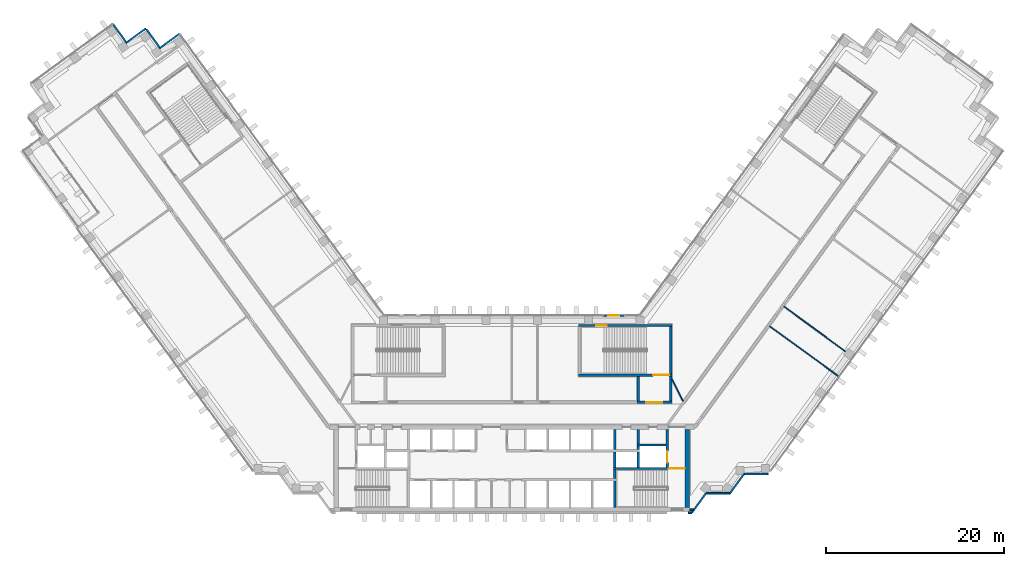
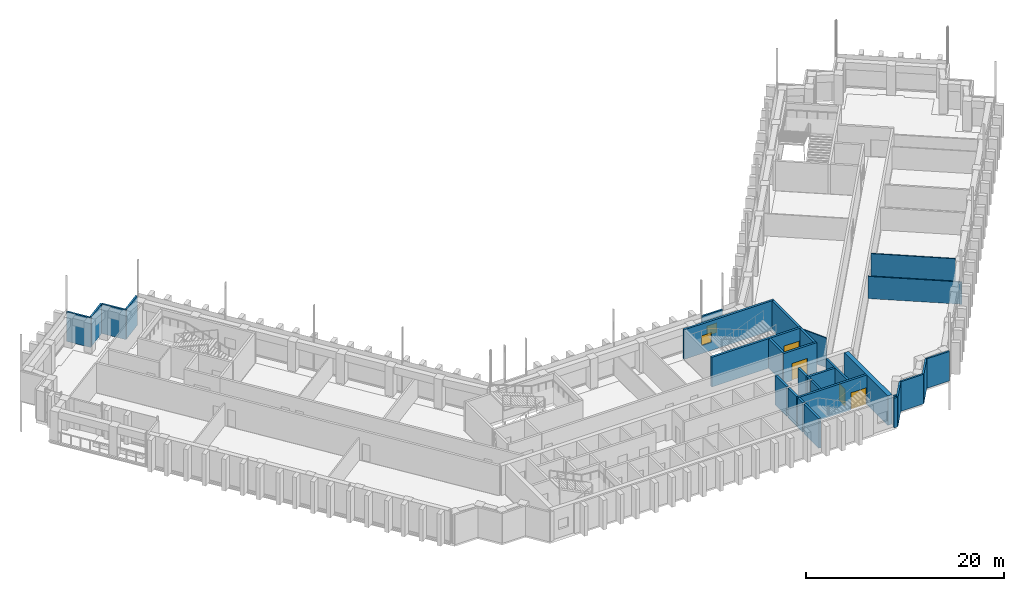
# One storey, part 14 of 19: 31 walls, 4 doors, 2 windows, 6 openings.
"""IFC4 building model written with IfcOpenShell, lengths in metres."""

from ifc_helpers import new_model, si_unit, direction, frame, frame_2d, origin, place, context, subcontext, project, spatial, rectangle, extrude, material, layer, layer_set, type_object, element, fill, save


model = new_model("IFC4")

# Units and contexts
model_context = context("Model", 3, precision=1e-05, world=origin(), true_north=direction((0.0, 1.0)))
body_context = subcontext(model_context, "Body", "Model", "MODEL_VIEW")
ifc_project = project(units=[si_unit("LENGTHUNIT", "METRE"), si_unit("AREAUNIT", "SQUARE_METRE"), si_unit("VOLUMEUNIT", "CUBIC_METRE"), si_unit("PLANEANGLEUNIT", "RADIAN"), si_unit("MASSUNIT", "GRAM", prefix="KILO")], contexts=[model_context])

# Site, building, storey
site_placement = place(None, origin())
site = spatial("IfcSite", under=ifc_project, at=site_placement, CompositionType="ELEMENT")
building_placement = place(site_placement, origin())
building = spatial("IfcBuilding", under=site, at=building_placement, Name="Quipu Civic Tower", CompositionType="ELEMENT")
storey_placement = place(building_placement, frame((0.0, 0.0, 35.0)))
storey = spatial("IfcBuildingStorey", under=building, at=storey_placement, Name="L07", CompositionType="ELEMENT", Elevation=35.0)

# Walls
ifc_material_1 = material(Name="Concrete C70/85", Category="concrete")
ifc_layer_1 = layer(ifc_material_1, 0.25)
ifc_layer_set_1 = layer_set([ifc_layer_1], Name="Concrete C70/85")
wall_type_1 = type_object("IfcWallType", Name="Core wall 250", PredefinedType="SHEAR", material=ifc_layer_set_1)
wall_1_placement = place(storey_placement, frame((11.574951171875, -10.5, 0.0), z_axis=(0.0, 0.0, 1.0), x_axis=(0.0, 1.0, 0.0)))
element("IfcWall", 1, at=wall_1_placement, inside=storey, type_object=wall_type_1, Name="Core wall", PredefinedType="SHEAR", context=body_context, shape_type="SweptSolid", body=[
    extrude(rectangle(XDim=3.0, YDim=0.25, at=frame_2d((1.5, 0.0))), origin(), (0.0, 0.0, 1.0), 3.64990234375),
])
wall_2_placement = place(storey_placement, frame((11.574951171875, -7.25, 0.0), z_axis=(0.0, 0.0, 1.0), x_axis=(0.0, 1.0, 0.0)))
element("IfcWall", 2, at=wall_2_placement, inside=storey, type_object=wall_type_1, Name="Core wall", PredefinedType="SHEAR", context=body_context, shape_type="SweptSolid", body=[
    extrude(rectangle(XDim=1.0, YDim=0.25, at=frame_2d((0.5, 0.0))), origin(), (0.0, 0.0, 1.0), 3.64990234375),
])

# Wall, opening, door
wall_3_placement = place(storey_placement, frame((19.5, -6.125, 0.0), z_axis=(0.0, 0.0, 1.0), x_axis=(-1.0, 0.0, 0.0)))
wall_3 = element("IfcWall", 3, at=wall_3_placement, inside=storey, type_object=wall_type_1, Name="Core wall", PredefinedType="SHEAR", context=body_context, shape_type="SweptSolid", body=[
    extrude(rectangle(XDim=8.050048828125, YDim=0.25, at=frame_2d((4.02490234375, 0.0))), origin(), (0.0, 0.0, 1.0), 3.64990234375),
])
opening_1_placement = place(wall_3_placement, frame((0.050048828125, 0.0, 0.0)))
opening_1 = element("IfcOpeningElement", 4, at=opening_1_placement, cuts=wall_3, Name="Opening CD-05", PredefinedType="OPENING", context=body_context, shape_type="SweptSolid", body=[
    extrude(rectangle(XDim=1.800048828125, YDim=2.10009765625, at=frame_2d((0.89990234375, 1.050048828125))), frame((0.0, 0.135009765625, 0.0), z_axis=(0.0, -1.0, 0.0), x_axis=(1.0, 0.0, 0.0)), (0.0, 0.0, 1.0), 0.27001953125),
])
ifc_material_2 = material(Name="Fire rated steel door", Category="steel")
door_type_1 = type_object("IfcDoorType", Name="Fire door FD90 double 1800 x 2100", OperationType="NOTDEFINED", PredefinedType="DOOR", material=ifc_material_2)
door_1_placement = place(opening_1_placement, origin())
door_1 = element("IfcDoor", 5, at=door_1_placement, inside=storey, type_object=door_type_1, Name="Door", OperationType="DOUBLE_DOOR_SINGLE_SWING", OverallHeight=2.10009765625, OverallWidth=1.800048828125, PredefinedType="DOOR", context=body_context, shape_type="SweptSolid", body=[
    extrude(rectangle(XDim=1.800048828125, YDim=2.10009765625, at=frame_2d((0.89990234375, 1.050048828125))), frame((0.0, 0.02490234375, 0.0), z_axis=(0.0, -1.0, 0.0), x_axis=(1.0, 0.0, 0.0)), (0.0, 0.0, 1.0), 0.050048828125),
])
fill(opening_1, door_1)

# Walls
for number, where, z_axis, x_axis, name in (
    (6, (11.574951171875, -6.0, 0.0), (0.0, 0.0, 1.0), (0.0, 1.0, 0.0), "Core wall"),
    (7, (14.22509765625, -6.0, 0.0), (0.0, 0.0, 1.0), (0.0, 1.0, 0.0), "Core wall"),
):
    element("IfcWall", number, at=place(storey_placement, frame(where, z_axis=z_axis, x_axis=x_axis)), inside=storey, type_object=wall_type_1, Name=name, PredefinedType="SHEAR", context=body_context, shape_type="SweptSolid", body=[
        extrude(rectangle(XDim=1.75, YDim=0.25, at=frame_2d((0.875, 0.0))), origin(), (0.0, 0.0, 1.0), 3.64990234375),
    ])

# Wall, opening, door
wall_4_placement = place(storey_placement, frame((17.47509765625, -6.0, 0.0), z_axis=(0.0, 0.0, 1.0), x_axis=(0.0, 1.0, 0.0)))
wall_4 = element("IfcWall", 8, at=wall_4_placement, inside=storey, type_object=wall_type_1, Name="Core wall", PredefinedType="SHEAR", context=body_context, shape_type="SweptSolid", body=[
    extrude(rectangle(XDim=4.300048828125, YDim=0.25, at=frame_2d((2.14990234375, 0.0))), origin(), (0.0, 0.0, 1.0), 3.64990234375),
])
opening_2_placement = place(wall_4_placement, frame((0.550048828125, 0.0, 0.0)))
opening_2 = element("IfcOpeningElement", 9, at=opening_2_placement, cuts=wall_4, Name="Opening LD-FF2", PredefinedType="OPENING", context=body_context, shape_type="SweptSolid", body=[
    extrude(rectangle(XDim=1.300048828125, YDim=2.10009765625, at=frame_2d((0.64990234375, 1.050048828125))), frame((0.0, 0.135009765625, 0.0), z_axis=(0.0, -1.0, 0.0), x_axis=(1.0, 0.0, 0.0)), (0.0, 0.0, 1.0), 0.27001953125),
])
ifc_material_3 = material(Name="Stainless steel", Category="steel")
door_type_2 = type_object("IfcDoorType", Name="Lift landing door 1300 x 2100", OperationType="DOUBLE_DOOR_SLIDING", PredefinedType="DOOR", material=ifc_material_3)
door_2_placement = place(opening_2_placement, origin())
door_2 = element("IfcDoor", 10, at=door_2_placement, inside=storey, type_object=door_type_2, Name="Landing door FF2", OperationType="DOUBLE_DOOR_SLIDING", OverallHeight=2.10009765625, OverallWidth=1.300048828125, PredefinedType="DOOR", context=body_context, shape_type="SweptSolid", body=[
    extrude(rectangle(XDim=1.300048828125, YDim=2.10009765625, at=frame_2d((0.64990234375, 1.050048828125))), frame((0.0, 0.02490234375, 0.0), z_axis=(0.0, -1.0, 0.0), x_axis=(1.0, 0.0, 0.0)), (0.0, 0.0, 1.0), 0.050048828125),
])
fill(opening_2, door_2)

# Walls
wall_5_placement = place(storey_placement, frame((11.574951171875, -4.0, 0.0), z_axis=(0.0, 0.0, 1.0), x_axis=(0.0, 1.0, 0.0)))
element("IfcWall", 11, at=wall_5_placement, inside=storey, type_object=wall_type_1, Name="Core wall", PredefinedType="SHEAR", context=body_context, shape_type="SweptSolid", body=[
    extrude(rectangle(XDim=2.300048828125, YDim=0.25, at=frame_2d((1.14990234375, 0.0))), origin(), (0.0, 0.0, 1.0), 3.64990234375),
])
wall_6_placement = place(storey_placement, frame((14.22509765625, -4.0, 0.0), z_axis=(0.0, 0.0, 1.0), x_axis=(0.0, 1.0, 0.0)))
element("IfcWall", 12, at=wall_6_placement, inside=storey, type_object=wall_type_1, Name="Core wall", PredefinedType="SHEAR", context=body_context, shape_type="SweptSolid", body=[
    extrude(rectangle(XDim=0.39990234375, YDim=0.25, at=frame_2d((0.199951171875, 0.0))), origin(), (0.0, 0.0, 1.0), 3.64990234375),
])
wall_7_placement = place(storey_placement, frame((14.10009765625, -3.47509765625, 0.0), z_axis=(0.0, 0.0, 1.0), x_axis=(1.0, 0.0, 0.0)))
element("IfcWall", 13, at=wall_7_placement, inside=storey, type_object=wall_type_1, Name="Core wall", PredefinedType="SHEAR", context=body_context, shape_type="SweptSolid", body=[
    extrude(rectangle(XDim=3.25, YDim=0.25, at=frame_2d((1.625, 0.0))), origin(), (0.0, 0.0, 1.0), 3.64990234375),
])
wall_8_placement = place(storey_placement, frame((14.22509765625, -3.35009765625, 0.0), z_axis=(0.0, 0.0, 1.0), x_axis=(0.0, 1.0, 0.0)))
element("IfcWall", 14, at=wall_8_placement, inside=storey, type_object=wall_type_1, Name="Core wall", PredefinedType="SHEAR", context=body_context, shape_type="SweptSolid", body=[
    extrude(rectangle(XDim=1.650146484375, YDim=0.25, at=frame_2d((0.8251953125, 0.0))), origin(), (0.0, 0.0, 1.0), 3.64990234375),
])

# Wall, opening, door
wall_9_placement = place(storey_placement, frame((14.10009765625, 1.324951171875, 0.0), z_axis=(0.0, 0.0, 1.0), x_axis=(1.0, 0.0, 0.0)))
wall_9 = element("IfcWall", 15, at=wall_9_placement, inside=storey, type_object=wall_type_1, Name="Core wall", PredefinedType="SHEAR", context=body_context, shape_type="SweptSolid", body=[
    extrude(rectangle(XDim=3.89990234375, YDim=0.25, at=frame_2d((1.949951171875, 0.0))), origin(), (0.0, 0.0, 1.0), 3.64990234375),
])
opening_3_placement = place(wall_9_placement, frame((1.0, 0.0, 0.0)))
opening_3 = element("IfcOpeningElement", 16, at=opening_3_placement, cuts=wall_9, Name="Opening CD-17", PredefinedType="OPENING", context=body_context, shape_type="SweptSolid", body=[
    extrude(rectangle(XDim=1.800048828125, YDim=2.10009765625, at=frame_2d((0.89990234375, 1.050048828125))), frame((0.0, 0.135009765625, 0.0), z_axis=(0.0, -1.0, 0.0), x_axis=(1.0, 0.0, 0.0)), (0.0, 0.0, 1.0), 0.27001953125),
])
door_3_placement = place(opening_3_placement, origin())
door_3 = element("IfcDoor", 17, at=door_3_placement, inside=storey, type_object=door_type_1, Name="Lobby door", OperationType="DOUBLE_DOOR_SINGLE_SWING", OverallHeight=2.10009765625, OverallWidth=1.800048828125, PredefinedType="DOOR", context=body_context, shape_type="SweptSolid", body=[
    extrude(rectangle(XDim=1.800048828125, YDim=2.10009765625, at=frame_2d((0.89990234375, 1.050048828125))), frame((0.0, 0.02490234375, 0.0), z_axis=(0.0, -1.0, 0.0), x_axis=(1.0, 0.0, 0.0)), (0.0, 0.0, 1.0), 0.050048828125),
])
fill(opening_3, door_3)

# Walls
for number, where, z_axis, x_axis, name in (
    (18, (14.22509765625, 1.449951171875, 0.0), (0.0, 0.0, 1.0), (0.0, 1.0, 0.0), "Core wall"),
    (19, (17.875, 1.449951171875, 0.0), (0.0, 0.0, 1.0), (0.0, 1.0, 0.0), "Core wall"),
):
    element("IfcWall", number, at=place(storey_placement, frame(where, z_axis=z_axis, x_axis=x_axis)), inside=storey, type_object=wall_type_1, Name=name, PredefinedType="SHEAR", context=body_context, shape_type="SweptSolid", body=[
        extrude(rectangle(XDim=2.800048828125, YDim=0.25, at=frame_2d((1.39990234375, 0.0))), origin(), (0.0, 0.0, 1.0), 3.64990234375),
    ])

# Wall, opening, door
wall_10_placement = place(storey_placement, frame((7.5, 4.375, 0.0), z_axis=(0.0, 0.0, 1.0), x_axis=(1.0, 0.0, 0.0)))
wall_10 = element("IfcWall", 20, at=wall_10_placement, inside=storey, type_object=wall_type_1, Name="Core wall", PredefinedType="SHEAR", context=body_context, shape_type="SweptSolid", body=[
    extrude(rectangle(XDim=10.5, YDim=0.25, at=frame_2d((5.25, 0.0))), origin(), (0.0, 0.0, 1.0), 3.64990234375),
])
opening_4_placement = place(wall_10_placement, frame((8.39990234375, 0.0, 0.0)))
opening_4 = element("IfcOpeningElement", 21, at=opening_4_placement, cuts=wall_10, Name="Opening CD-18", PredefinedType="OPENING", context=body_context, shape_type="SweptSolid", body=[
    extrude(rectangle(XDim=1.800048828125, YDim=2.10009765625, at=frame_2d((0.89990234375, 1.050048828125))), frame((0.0, 0.135009765625, 0.0), z_axis=(0.0, -1.0, 0.0), x_axis=(1.0, 0.0, 0.0)), (0.0, 0.0, 1.0), 0.27001953125),
])
door_4_placement = place(opening_4_placement, origin())
door_4 = element("IfcDoor", 22, at=door_4_placement, inside=storey, type_object=door_type_1, Name="Door", OperationType="DOUBLE_DOOR_SINGLE_SWING", OverallHeight=2.10009765625, OverallWidth=1.800048828125, PredefinedType="DOOR", context=body_context, shape_type="SweptSolid", body=[
    extrude(rectangle(XDim=1.800048828125, YDim=2.10009765625, at=frame_2d((0.89990234375, 1.050048828125))), frame((0.0, 0.02490234375, 0.0), z_axis=(0.0, -1.0, 0.0), x_axis=(1.0, 0.0, 0.0)), (0.0, 0.0, 1.0), 0.050048828125),
])
fill(opening_4, door_4)

# Wall
wall_11_placement = place(storey_placement, frame((17.875, 4.5, 0.0), z_axis=(0.0, 0.0, 1.0), x_axis=(0.0, 1.0, 0.0)))
element("IfcWall", 23, at=wall_11_placement, inside=storey, type_object=wall_type_1, Name="Core wall", PredefinedType="SHEAR", context=body_context, shape_type="SweptSolid", body=[
    extrude(rectangle(XDim=5.35009765625, YDim=0.25, at=frame_2d((2.675048828125, 0.0))), origin(), (0.0, 0.0, 1.0), 3.64990234375),
])

# Wall, opening, window
wall_12_placement = place(storey_placement, frame((7.5, 9.97509765625, 0.0), z_axis=(0.0, 0.0, 1.0), x_axis=(1.0, 0.0, 0.0)))
wall_12 = element("IfcWall", 24, at=wall_12_placement, inside=storey, type_object=wall_type_1, Name="Core wall", PredefinedType="SHEAR", context=body_context, shape_type="SweptSolid", body=[
    extrude(rectangle(XDim=10.5, YDim=0.25, at=frame_2d((5.25, 0.0))), origin(), (0.0, 0.0, 1.0), 3.64990234375),
])
opening_5_placement = place(wall_12_placement, frame((2.0, 0.0, 1.0)))
opening_5 = element("IfcOpeningElement", 25, at=opening_5_placement, cuts=wall_12, Name="Opening SV-4", PredefinedType="OPENING", context=body_context, shape_type="SweptSolid", body=[
    extrude(rectangle(XDim=1.199951171875, YDim=1.199951171875, at=frame_2d((0.60009765625, 0.60009765625))), frame((0.0, 0.135009765625, 0.0), z_axis=(0.0, -1.0, 0.0), x_axis=(1.0, 0.0, 0.0)), (0.0, 0.0, 1.0), 0.27001953125),
])
ifc_material_4 = material(Name="Aluminium louvre", Category="aluminium")
window_type_1 = type_object("IfcWindowType", Name="Stair ventilation louvre 1200 x 1200", PartitioningType="SINGLE_PANEL", PredefinedType="WINDOW", material=ifc_material_4)
window_1_placement = place(opening_5_placement, origin())
window_1 = element("IfcWindow", 26, at=window_1_placement, inside=storey, type_object=window_type_1, Name="Stair ventilation opening", OverallHeight=1.199951171875, OverallWidth=1.199951171875, PartitioningType="SINGLE_PANEL", PredefinedType="WINDOW", context=body_context, shape_type="SweptSolid", body=[
    extrude(rectangle(XDim=1.199951171875, YDim=1.199951171875, at=frame_2d((0.60009765625, 0.60009765625))), frame((0.0, 0.030029296875, 0.0), z_axis=(0.0, -1.0, 0.0), x_axis=(1.0, 0.0, 0.0)), (0.0, 0.0, 1.0), 0.06005859375),
])
fill(opening_5, window_1)

# Walls
ifc_material_5 = material(Name="Concrete C70/85", Category="concrete")
ifc_layer_2 = layer(ifc_material_5, 0.5)
ifc_layer_set_2 = layer_set([ifc_layer_2], Name="Concrete C70/85")
wall_type_2 = type_object("IfcWallType", Name="Core wall 500", PredefinedType="SHEAR", material=ifc_layer_set_2)
wall_13_placement = place(storey_placement, frame((19.75, -10.5, 0.0), z_axis=(0.0, 0.0, 1.0), x_axis=(0.0, 1.0, 0.0)))
element("IfcWall", 27, at=wall_13_placement, inside=storey, type_object=wall_type_2, Name="Core wall", PredefinedType="SHEAR", context=body_context, shape_type="SweptSolid", body=[
    extrude(rectangle(XDim=8.800048828125, YDim=0.5, at=frame_2d((4.39990234375, 0.0))), origin(), (0.0, 0.0, 1.0), 3.64990234375),
])
ifc_material_6 = material(Name="Gypsum plasterboard on light gauge framing")
ifc_layer_3 = layer(ifc_material_6, 0.1201171875)
ifc_layer_set_3 = layer_set([ifc_layer_3], Name="Gypsum plasterboard on light gauge framing")
wall_type_3 = type_object("IfcWallType", Name="Partition 120 plasterboard", PredefinedType="PARTITIONING", material=ifc_layer_set_3)
wall_14_placement = place(storey_placement, frame((36.7021484375, 4.274169921875, 0.0), z_axis=(0.0, 0.0, 1.0), x_axis=(-0.808998008689, 0.58781138296, 0.0)))
element("IfcWall", 28, at=wall_14_placement, inside=storey, type_object=wall_type_3, Name="Partition P02", PredefinedType="PARTITIONING", context=body_context, shape_type="SweptSolid", body=[
    extrude(rectangle(XDim=9.5498046875, YDim=0.1201171875, at=frame_2d((4.77490234375, 0.0))), origin(), (0.0, 0.0, 1.0), 2.75),
])
wall_15_placement = place(storey_placement, frame((30.5869140625, 12.104248046875, 0.0), z_axis=(0.0, 0.0, 1.0), x_axis=(0.807590933527, -0.589743066161, 0.0)))
element("IfcWall", 29, at=wall_15_placement, inside=storey, type_object=wall_type_3, Name="Partition P04", PredefinedType="PARTITIONING", context=body_context, shape_type="SweptSolid", body=[
    extrude(rectangle(XDim=8.594482421875, YDim=0.1201171875, at=frame_2d((4.29736328125, 0.0))), origin(), (0.0, 0.0, 1.0), 3.64990234375),
])
wall_16_placement = place(storey_placement, frame((18.0, 3.925048828125, 0.0), z_axis=(0.0, 0.0, 1.0), x_axis=(0.453950796792, -0.891026752736, 0.0)))
element("IfcWall", 30, at=wall_16_placement, inside=storey, type_object=wall_type_3, Name="Partition P17", PredefinedType="PARTITIONING", context=body_context, shape_type="SweptSolid", body=[
    extrude(rectangle(XDim=2.77783203125, YDim=0.1201171875, at=frame_2d((1.388916015625, 0.0))), origin(), (0.0, 0.0, 1.0), 3.64990234375),
])
ifc_material_7 = material(Name="Precast concrete C40/50", Category="concrete")
wall_type_4 = type_object("IfcWallType", Name="Precast cladding wall", PredefinedType="SOLIDWALL", material=ifc_material_7)
wall_17_placement = place(storey_placement, frame((19.85009765625, -11.087890625, 0.0), z_axis=(0.0, 0.0, 1.0), x_axis=(1.0, 0.0, 0.0)))
element("IfcWall", 31, at=wall_17_placement, inside=storey, type_object=wall_type_4, Name="Precast cladding wall L07 P08", PredefinedType="SOLIDWALL", context=body_context, shape_type="SweptSolid", body=[
    extrude(rectangle(XDim=0.40576171875, YDim=0.199951171875, at=frame_2d((0.202880859375, 0.0))), origin(), (0.0, 0.0, 1.0), 3.64990234375),
])
wall_18_placement = place(storey_placement, frame((20.253173828125, -11.083251953125, 0.0), z_axis=(0.0, 0.0, 1.0), x_axis=(0.587766567315, 0.809030569476, 0.0)))
element("IfcWall", 32, at=wall_18_placement, inside=storey, type_object=wall_type_4, Name="Precast cladding wall L07 P09", PredefinedType="SOLIDWALL", context=body_context, shape_type="SweptSolid", body=[
    extrude(rectangle(XDim=2.687744140625, YDim=0.199951171875, at=frame_2d((1.34375, 0.0))), origin(), (0.0, 0.0, 1.0), 3.64990234375),
])
wall_19_placement = place(storey_placement, frame((21.8427734375, -8.90380859375, 0.0), z_axis=(0.0, 0.0, 1.0), x_axis=(1.0, 0.0, 0.0)))
element("IfcWall", 33, at=wall_19_placement, inside=storey, type_object=wall_type_4, Name="Precast cladding wall L07 P10", PredefinedType="SOLIDWALL", context=body_context, shape_type="SweptSolid", body=[
    extrude(rectangle(XDim=2.699951171875, YDim=0.199951171875, at=frame_2d((1.35009765625, 0.0))), origin(), (0.0, 0.0, 1.0), 3.64990234375),
])
wall_20_placement = place(storey_placement, frame((24.533203125, -8.90869140625, 0.0), z_axis=(0.0, 0.0, 1.0), x_axis=(0.587720002413, 0.809064397168, 0.0)))
element("IfcWall", 34, at=wall_20_placement, inside=storey, type_object=wall_type_4, Name="Precast cladding wall L07 P11", PredefinedType="SOLIDWALL", context=body_context, shape_type="SweptSolid", body=[
    extrude(rectangle(XDim=2.7001953125, YDim=0.199951171875, at=frame_2d((1.35009765625, 0.0))), origin(), (0.0, 0.0, 1.0), 3.64990234375),
])
wall_21_placement = place(storey_placement, frame((26.1298828125, -6.71923828125, 0.0), z_axis=(0.0, 0.0, 1.0), x_axis=(1.0, 0.0, 0.0)))
element("IfcWall", 35, at=wall_21_placement, inside=storey, type_object=wall_type_4, Name="Precast cladding wall L07 P12", PredefinedType="SOLIDWALL", context=body_context, shape_type="SweptSolid", body=[
    extrude(rectangle(XDim=2.699951171875, YDim=0.199951171875, at=frame_2d((1.35009765625, 0.0))), origin(), (0.0, 0.0, 1.0), 3.64990234375),
])

# Wall, opening, window
wall_22_placement = place(storey_placement, frame((12.655029296875, 11.10009765625, 0.0), z_axis=(0.0, 0.0, 1.0), x_axis=(-1.0, 0.0, 0.0)))
wall_22 = element("IfcWall", 36, at=wall_22_placement, inside=storey, type_object=wall_type_4, Name="Vent surround SF-L06-2", PredefinedType="SOLIDWALL", context=body_context, shape_type="SweptSolid", body=[
    extrude(rectangle(XDim=2.3916015625, YDim=0.199951171875, at=frame_2d((1.19580078125, 0.0))), origin(), (0.0, 0.0, 1.0), 3.64990234375),
])
opening_6_placement = place(wall_22_placement, frame((0.595703125, 0.0, 1.0)))
opening_6 = element("IfcOpeningElement", 37, at=opening_6_placement, cuts=wall_22, Name="Opening SF-L06-2", PredefinedType="OPENING", context=body_context, shape_type="SweptSolid", body=[
    extrude(rectangle(XDim=1.199951171875, YDim=1.199951171875, at=frame_2d((0.60009765625, 0.60009765625))), frame((0.0, 0.10986328125, 0.0), z_axis=(0.0, -1.0, 0.0), x_axis=(1.0, 0.0, 0.0)), (0.0, 0.0, 1.0), 0.219970703125),
])
ifc_material_8 = material(Name="Anodised aluminium louvre", Category="aluminium")
window_type_2 = type_object("IfcWindowType", Name="Stair vent louvre window P3", PartitioningType="SINGLE_PANEL", PredefinedType="WINDOW", material=ifc_material_8)
window_2_placement = place(opening_6_placement, origin())
window_2 = element("IfcWindow", 38, at=window_2_placement, inside=storey, type_object=window_type_2, Name="Stair vent louvre SF-L06-2", OverallHeight=1.199951171875, OverallWidth=1.199951171875, PartitioningType="SINGLE_PANEL", PredefinedType="WINDOW", context=body_context, shape_type="SweptSolid", body=[
    extrude(rectangle(XDim=1.199951171875, YDim=1.199951171875, at=frame_2d((0.60009765625, 0.60009765625))), frame((0.0, 0.030029296875, 0.0), z_axis=(0.0, -1.0, 0.0), x_axis=(1.0, 0.0, 0.0)), (0.0, 0.0, 1.0), 0.06005859375),
])
fill(opening_6, window_2)

# Walls
wall_23_placement = place(storey_placement, frame((-37.352783203125, 42.768310546875, 0.0), z_axis=(0.0, 0.0, 1.0), x_axis=(-0.809033161865, -0.587762999008, 0.0)))
element("IfcWall", 39, at=wall_23_placement, inside=storey, type_object=wall_type_4, Name="Precast cladding wall L07 P30", PredefinedType="SOLIDWALL", context=body_context, shape_type="SweptSolid", body=[
    extrude(rectangle(XDim=2.699951171875, YDim=0.199951171875, at=frame_2d((1.35009765625, 0.0))), origin(), (0.0, 0.0, 1.0), 3.64990234375),
])
wall_24_placement = place(storey_placement, frame((-39.488037109375, 41.093505859375, 0.0), z_axis=(0.0, 0.0, 1.0), x_axis=(-0.587806000234, 0.809001919707, 0.0)))
element("IfcWall", 40, at=wall_24_placement, inside=storey, type_object=wall_type_4, Name="Precast cladding wall L07 P31", PredefinedType="SOLIDWALL", context=body_context, shape_type="SweptSolid", body=[
    extrude(rectangle(XDim=2.69970703125, YDim=0.199951171875, at=frame_2d((1.349853515625, 0.0))), origin(), (0.0, 0.0, 1.0), 3.64990234375),
])
for number, where, z_axis, x_axis, name in (
    (41, (-41.1240234375, 43.36572265625, 0.0), (0.0, 0.0, 1.0), (-0.809033161865, -0.587762999008, 0.0), "Precast cladding wall L07 P32"),
    (42, (-43.25927734375, 41.690673828125, 0.0), (0.0, 0.0, 1.0), (-0.587822180636, 0.808990163075, 0.0), "Precast cladding wall L07 P33"),
):
    element("IfcWall", number, at=place(storey_placement, frame(where, z_axis=z_axis, x_axis=x_axis)), inside=storey, type_object=wall_type_4, Name=name, PredefinedType="SOLIDWALL", context=body_context, shape_type="SweptSolid", body=[
        extrude(rectangle(XDim=2.699951171875, YDim=0.199951171875, at=frame_2d((1.35009765625, 0.0))), origin(), (0.0, 0.0, 1.0), 3.64990234375),
    ])
wall_25_placement = place(storey_placement, frame((19.97998046875, -10.75, 0.0), z_axis=(0.0, 0.0, 1.0), x_axis=(1.0, 0.0, 0.0)))
element("IfcWall", 43, at=wall_25_placement, inside=storey, type_object=wall_type_4, Name="Precast cladding return L07 E", PredefinedType="SOLIDWALL", context=body_context, shape_type="SweptSolid", body=[
    extrude(rectangle(XDim=0.41650390625, YDim=0.199951171875, at=frame_2d((0.208251953125, 0.0))), origin(), (0.0, 0.0, 1.0), 3.64990234375),
])

save(model, "model.ifc")
